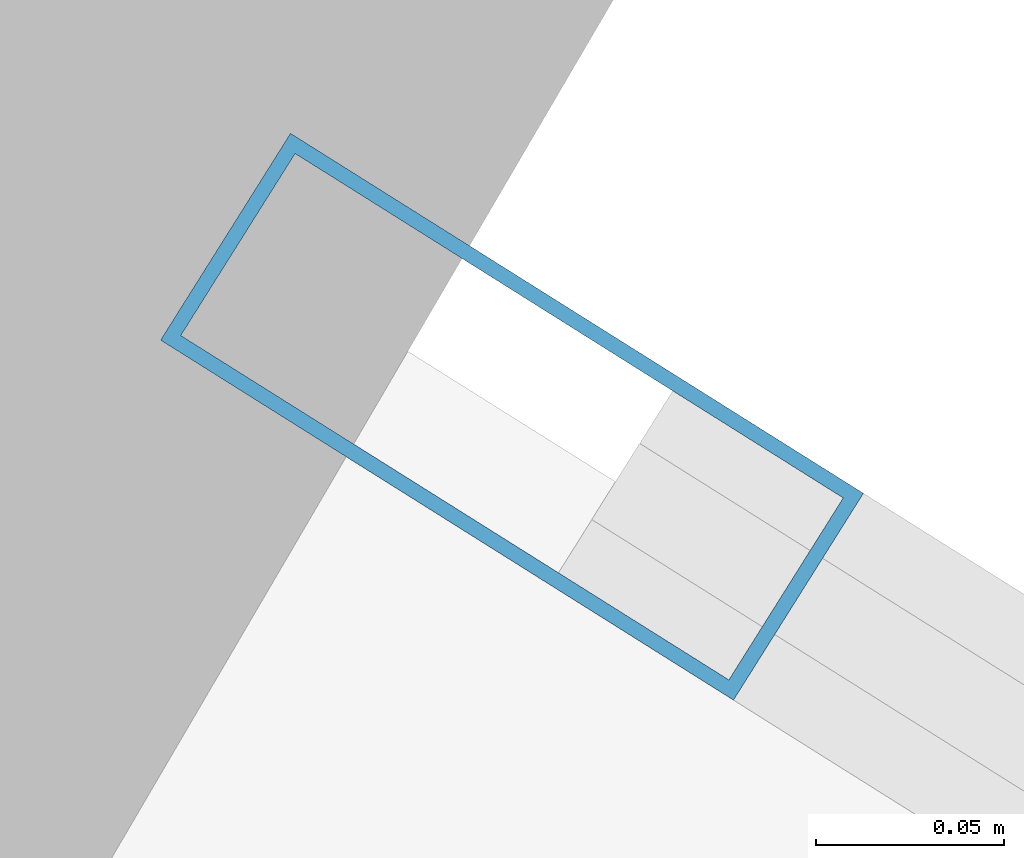
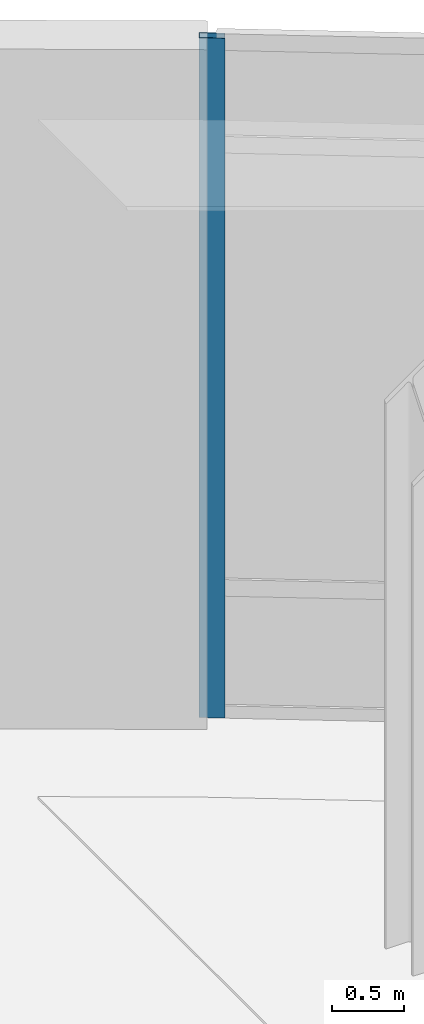
# One storey, part 39 of 85: 1 member, 1 element without a shape of its own.
"""IFC4 building model written with IfcOpenShell, lengths in metres."""

from ifc_helpers import new_model, si_unit, direction, frame, origin, origin_2d, place, context, subcontext, project, spatial, hollow_rectangle, extrude, material, layer, layer_set, material_profile, profile_set, type_object, element, aggregate, save


model = new_model("IFC4")

# Units and contexts
model_context = context("Model", 3, precision=1e-05, world=origin(), true_north=direction((0.0, 1.0)))
body_context = subcontext(model_context, "Body", "Model", "MODEL_VIEW")
ifc_project = project(units=[si_unit("LENGTHUNIT", "METRE"), si_unit("AREAUNIT", "SQUARE_METRE"), si_unit("VOLUMEUNIT", "CUBIC_METRE"), si_unit("PLANEANGLEUNIT", "RADIAN"), si_unit("MASSUNIT", "GRAM", prefix="KILO"), si_unit("THERMODYNAMICTEMPERATUREUNIT", "KELVIN")], contexts=[model_context])

# Site, building, storey
site_placement = place(None, origin())
site = spatial("IfcSite", under=ifc_project, at=site_placement, CompositionType="ELEMENT")
building_placement = place(site_placement, origin())
building = spatial("IfcBuilding", under=site, at=building_placement, Name="Lustrewick Department Store", CompositionType="ELEMENT")
storey_placement = place(building_placement, origin())
storey = spatial("IfcBuildingStorey", under=building, at=storey_placement, Name="L01", CompositionType="ELEMENT", Elevation=0.0)

# Curtain wall, member
ifc_material = material(Name="Thermally broken aluminium 6063-T5", Category="aluminium")
ifc_layer = layer(ifc_material, 0.179931640625, Name="Thermally broken aluminium 6063-T5")
ifc_layer_set = layer_set([ifc_layer], Name="Thermally broken aluminium 6063-T5")
curtain_wall_type = type_object("IfcCurtainWallType", Name="CW11", PredefinedType="NOTDEFINED", material=ifc_layer_set)
curtain_wall_placement = place(storey_placement, origin())
curtain_wall = element("IfcCurtainWall", 1, at=curtain_wall_placement, inside=storey, type_object=curtain_wall_type, Name="L01 V4 Curtain Wall CW11", PredefinedType="NOTDEFINED")
ifc_material_profile = material_profile(ifc_material, hollow_rectangle(XDim=0.06494140625, YDim=0.179931640625, WallThickness=0.00390625, at=origin_2d()), Name="ALU-M 65x180x4")
ifc_profile_set = profile_set([ifc_material_profile], Name="Thermally broken aluminium 6063-T5")
member_type = type_object("IfcMemberType", Name="CW11-M1", PredefinedType="MULLION", material=ifc_profile_set)
member_placement = place(storey_placement, frame((142.98388671875, 104.050048828125, 0.0), z_axis=(0.0, 0.0, 1.0), x_axis=(-0.532014270503, -0.846735387226, 0.0)))
member = element("IfcMember", 2, at=member_placement, type_object=member_type, Name="CW11 mullion 2", PredefinedType="MULLION", context=body_context, shape_type="SweptSolid", body=[
    extrude(hollow_rectangle(XDim=0.06494140625, YDim=0.179931640625, WallThickness=0.00390625, at=origin_2d()), origin(), (0.0, 0.0, 1.0), 5.7451171875),
])
aggregate(curtain_wall, [member])

save(model, "model.ifc")
